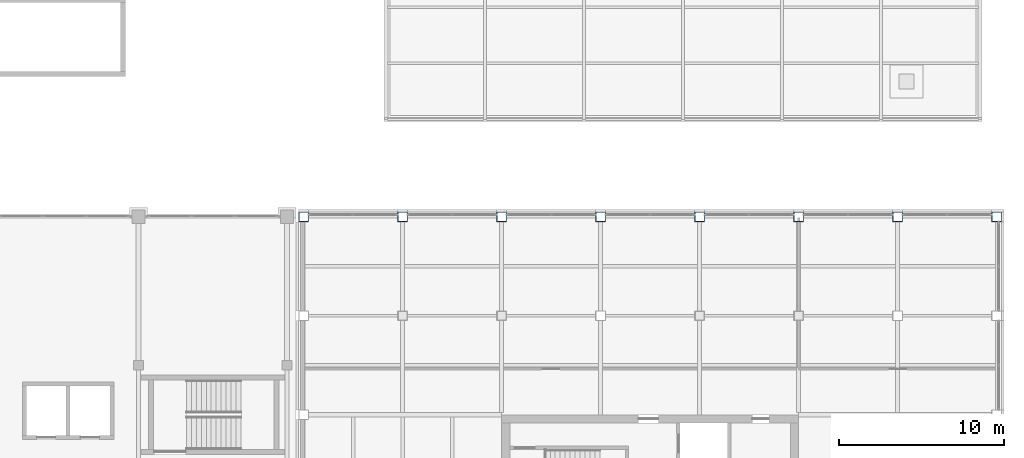
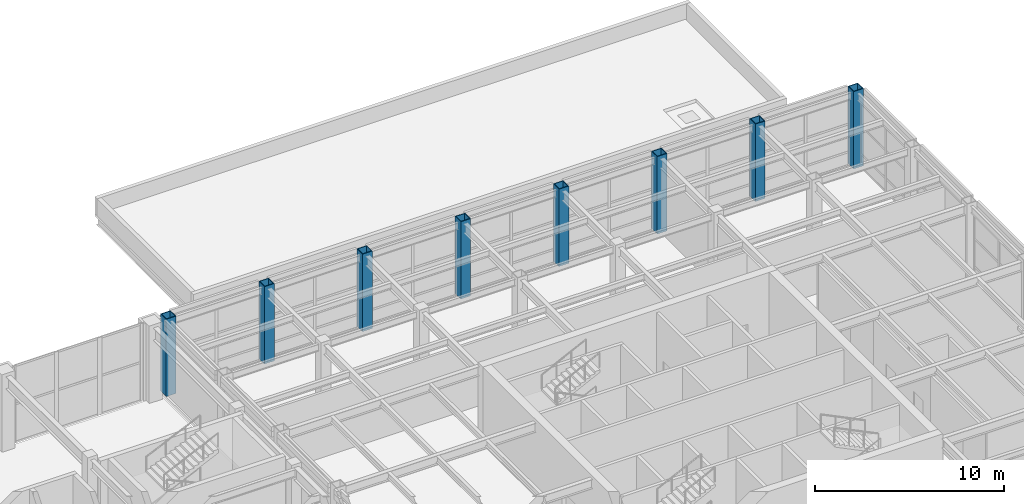
# One storey, part 6 of 67: 8 columns.
"""IFC4 building model written with IfcOpenShell, lengths in metres."""

from ifc_helpers import new_model, si_unit, direction, frame, origin, origin_2d, place, context, subcontext, project, spatial, hollow_rectangle, extrude, material, material_profile, profile_set, type_object, element, save


model = new_model("IFC4")

# Units and contexts
model_context = context("Model", 3, precision=1e-05, world=origin(), true_north=direction((0.0, 1.0)))
body_context = subcontext(model_context, "Body", "Model", "MODEL_VIEW")
ifc_project = project(units=[si_unit("LENGTHUNIT", "METRE"), si_unit("AREAUNIT", "SQUARE_METRE"), si_unit("VOLUMEUNIT", "CUBIC_METRE"), si_unit("PLANEANGLEUNIT", "RADIAN"), si_unit("MASSUNIT", "GRAM", prefix="KILO")], contexts=[model_context])

# Site, building, storey
site_placement = place(None, origin())
site = spatial("IfcSite", under=ifc_project, at=site_placement, CompositionType="ELEMENT")
building_placement = place(site_placement, origin())
building = spatial("IfcBuilding", under=site, at=building_placement, Name="Aravalli Gate Trade Fair Centre", CompositionType="ELEMENT")
storey_placement = place(building_placement, frame((0.0, 0.0, 5.0)))
storey = spatial("IfcBuildingStorey", under=building, at=storey_placement, Name="L01", CompositionType="ELEMENT", Elevation=5.0)

# Columns
ifc_material = material(Name="Steel E350", Category="steel")
ifc_material_profile = material_profile(ifc_material, hollow_rectangle(XDim=0.60009765625, YDim=0.60009765625, WallThickness=0.0400390625, at=origin_2d()), Name="BOX 600x600x40")
ifc_profile_set = profile_set([ifc_material_profile], Name="Steel E350")
column_type = type_object("IfcColumnType", Name="Wing box column 600 x 600 x 40", PredefinedType="COLUMN", material=ifc_profile_set)
for number, where, z_axis, x_axis, name in (
    (1, (160.0, 133.0, 0.0), (0.0, 0.0, 1.0), (1.0, 0.0, 0.0), "Wing column 18/K L01"),
    (2, (166.0, 133.0, 0.0), (0.0, 0.0, 1.0), (1.0, 0.0, 0.0), "Wing column 19/K L01"),
    (3, (172.0, 133.0, 0.0), (0.0, 0.0, 1.0), (1.0, 0.0, 0.0), "Wing column 20/K L01"),
    (4, (178.0, 133.0, 0.0), (0.0, 0.0, 1.0), (1.0, 0.0, 0.0), "Wing column 21/K L01"),
    (5, (184.0, 133.0, 0.0), (0.0, 0.0, 1.0), (1.0, 0.0, 0.0), "Wing column 22/K L01"),
    (6, (190.0, 133.0, 0.0), (0.0, 0.0, 1.0), (1.0, 0.0, 0.0), "Wing column 23/K L01"),
    (7, (196.0, 133.0, 0.0), (0.0, 0.0, 1.0), (1.0, 0.0, 0.0), "Wing column 24/K L01"),
    (8, (202.0, 133.0, 0.0), (0.0, 0.0, 1.0), (1.0, 0.0, 0.0), "Wing column 25/K L01"),
):
    element("IfcColumn", number, at=place(storey_placement, frame(where, z_axis=z_axis, x_axis=x_axis)), inside=storey, type_object=column_type, Name=name, PredefinedType="COLUMN", context=body_context, shape_type="SweptSolid", body=[
        extrude(hollow_rectangle(XDim=0.60009765625, YDim=0.60009765625, WallThickness=0.0400390625, at=origin_2d()), origin(), (0.0, 0.0, 1.0), 5.0),
    ])

save(model, "model.ifc")
